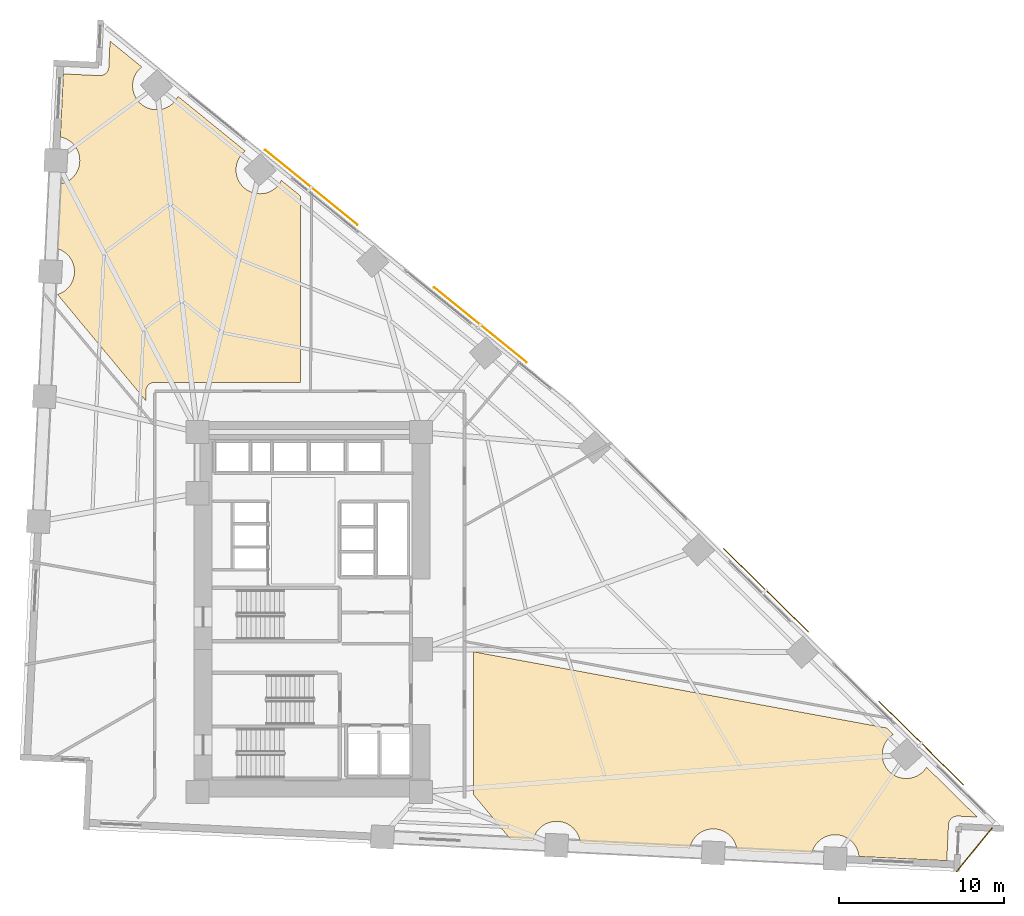
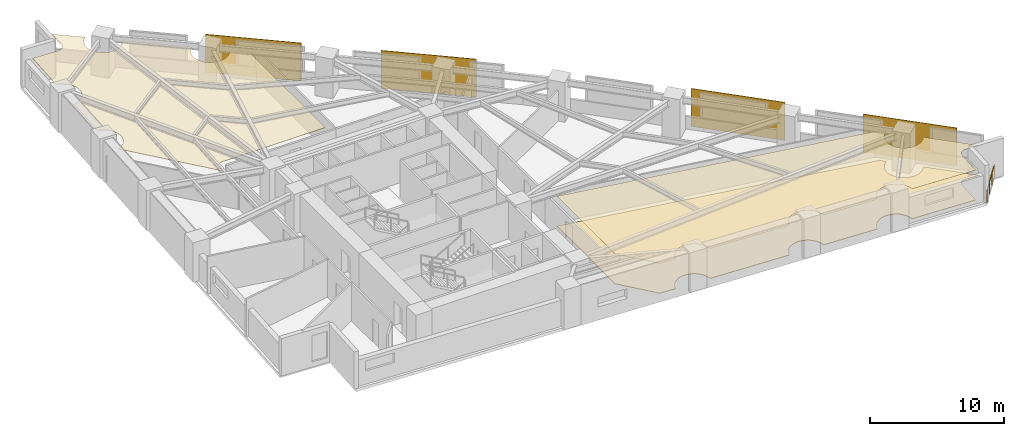
# One storey, part 17 of 17: 4 shading devices, 3 coverings, 1 railing.
"""IFC4 building model written with IfcOpenShell, lengths in metres."""

import ifcopenshell
import ifcopenshell.guid

model = None  # the IFC model being written
_history = None  # IfcOwnerHistory: only IFC2X3 demands one
_inside = {}  # id of a spatial element -> (the spatial element, [elements in it])
_under = {}  # id of a project, library or spatial element -> (it, [spatial elements below it])
_declared = {}  # id of a project -> (the project, [libraries it declares])
_typed = {}  # id of a type object -> (the type object, [elements of that type])
_made_of = {}  # id of a material, layer set ... -> (it, [elements and type objects made of it])


def new_model(schema):
    """Start an empty IFC model of exactly this schema.

    Asked for "IFC4X3", IfcOpenShell would pick the latest addendum, in which some entities
    have other attributes; the version numbers below select the first issue.
    IFC2X3 requires an IfcOwnerHistory on every rooted entity: one is made here for all.
    """
    global model, _history
    if schema == "IFC4X3":
        model = ifcopenshell.file(schema_version=(4, 3, 0, 0))
    else:
        model = ifcopenshell.file(schema=schema)
    _inside.clear()
    _under.clear()
    _declared.clear()
    _typed.clear()
    _made_of.clear()
    _history = None
    if model.schema == "IFC2X3":
        org = make("IfcOrganization", Name="unknown")
        user = make(
            "IfcPersonAndOrganization",
            ThePerson=make("IfcPerson", FamilyName="unknown"),
            TheOrganization=org,
        )
        app = make(
            "IfcApplication",
            ApplicationDeveloper=org,
            Version="unknown",
            ApplicationFullName="unknown",
            ApplicationIdentifier="unknown",
        )
        _history = make(
            "IfcOwnerHistory",
            OwningUser=user,
            OwningApplication=app,
            ChangeAction="ADDED",
            CreationDate=0,
        )
    return model


def make(cls, **values):
    """One entity of the class cls with the attributes given. An attribute that is None is left unset."""
    return model.create_entity(
        cls, **{name: value for name, value in values.items() if value is not None}
    )


def rooted(cls, **values):
    """An entity with a GlobalId (a new one), such as an element, a storey or a relation."""
    return make(cls, GlobalId=ifcopenshell.guid.new(), OwnerHistory=_history, **values)


def si_unit(unit_type, name, prefix=None):
    """IfcSIUnit, for example si_unit("LENGTHUNIT", "METRE", prefix="MILLI")."""
    return make("IfcSIUnit", UnitType=unit_type, Prefix=prefix, Name=name)


def assignment(units):
    """IfcUnitAssignment: the units of a project."""
    return None if units is None else make("IfcUnitAssignment", Units=units)


def point(xyz):
    """IfcCartesianPoint."""
    return None if xyz is None else make("IfcCartesianPoint", Coordinates=xyz)


def direction(xyz):
    """IfcDirection."""
    return None if xyz is None else make("IfcDirection", DirectionRatios=xyz)


def frame(location, z_axis=None, x_axis=None):
    """IfcAxis2Placement3D, a coordinate frame: its origin and axes. An axis left out is left unset."""
    return make(
        "IfcAxis2Placement3D",
        Location=point(location),
        Axis=direction(z_axis),
        RefDirection=direction(x_axis),
    )


def frame_2d(location, x_axis=None):
    """IfcAxis2Placement2D, a coordinate frame in the plane: its origin and x axis."""
    return make(
        "IfcAxis2Placement2D", Location=point(location), RefDirection=direction(x_axis)
    )


def origin():
    """The frame at (0, 0, 0) with its axes left unset."""
    return frame((0.0, 0.0, 0.0))


def origin_2d():
    """The frame at (0, 0) in the plane with its x axis left unset."""
    return frame_2d((0.0, 0.0))


def place(relative_to, where):
    """IfcLocalPlacement: puts the frame where relative to a parent placement (None: the world)."""
    return make(
        "IfcLocalPlacement", PlacementRelTo=relative_to, RelativePlacement=where
    )


def context(
    kind, dimensions, precision=None, world=None, true_north=None, identifier=None
):
    """IfcGeometricRepresentationContext, for example the 3D "Model" context."""
    return make(
        "IfcGeometricRepresentationContext",
        ContextIdentifier=identifier,
        ContextType=kind,
        CoordinateSpaceDimension=dimensions,
        Precision=precision,
        WorldCoordinateSystem=world,
        TrueNorth=true_north,
    )


def subcontext(parent, identifier, kind, view, scale=None):
    """IfcGeometricRepresentationSubContext, for example "Body" below "Model"."""
    return make(
        "IfcGeometricRepresentationSubContext",
        ContextIdentifier=identifier,
        ContextType=kind,
        ParentContext=parent,
        TargetScale=scale,
        TargetView=view,
    )


def project(units=None, contexts=None):
    """IfcProject with its units and contexts."""
    return rooted(
        "IfcProject",
        Name="project",
        RepresentationContexts=contexts,
        UnitsInContext=assignment(units),
    )


def spatial(cls, under=None, at=None, **own):
    """A site, building, storey or space (cls), placed at a placement, below another one or the project."""
    s = rooted(cls, ObjectPlacement=at, **own)
    if under is not None:
        _under.setdefault(under.id(), (under, []))[1].append(s)
    return s


def polyline(points):
    """IfcPolyline through the points."""
    return make("IfcPolyline", Points=[point(p) for p in points])


def profile(cls, at=None, kind="AREA", **sizes):
    """A parametric profile (cls). Its sizes go by their IFC names, for example OverallWidth=200.0."""
    return make(cls, ProfileType=kind, Position=at, **sizes)


def rectangle(**sizes):
    """IfcRectangleProfileDef."""
    return profile("IfcRectangleProfileDef", **sizes)


def circle(**sizes):
    """IfcCircleProfileDef."""
    return profile("IfcCircleProfileDef", **sizes)


def outline(outer, holes=None, kind="AREA"):
    """IfcArbitraryClosedProfileDef: a profile drawn as a closed curve; with holes, ...WithVoids."""
    if holes is None:
        return make("IfcArbitraryClosedProfileDef", ProfileType=kind, OuterCurve=outer)
    return make(
        "IfcArbitraryProfileDefWithVoids",
        ProfileType=kind,
        OuterCurve=outer,
        InnerCurves=holes,
    )


def extrude(swept, where, along, depth):
    """IfcExtrudedAreaSolid: the profile swept, set in the frame where, extruded along a direction by depth."""
    return make(
        "IfcExtrudedAreaSolid",
        SweptArea=swept,
        Position=where,
        ExtrudedDirection=direction(along),
        Depth=depth,
    )


def shape(context_of_items, identifier, shape_type, items):
    """IfcShapeRepresentation: the items that make up one representation, for example the "Body"."""
    return make(
        "IfcShapeRepresentation",
        ContextOfItems=context_of_items,
        RepresentationIdentifier=identifier,
        RepresentationType=shape_type,
        Items=items,
    )


def material(Name=None, Category=None):
    """IfcMaterial."""
    return make("IfcMaterial", Name=Name, Category=Category)


def layer(
    of_material, thickness, ventilated=None, Name=None, Category=None, Priority=None
):
    """IfcMaterialLayer: one layer of a wall or slab, of a material (None: an air gap)."""
    return make(
        "IfcMaterialLayer",
        Material=of_material,
        LayerThickness=thickness,
        IsVentilated=ventilated,
        Name=Name,
        Category=Category,
        Priority=Priority,
    )


def layer_set(layers, Name=None):
    """IfcMaterialLayerSet."""
    return make("IfcMaterialLayerSet", MaterialLayers=layers, LayerSetName=Name)


def made_of(thing, what):
    """Note that an element or type object is made of a material, layer set ...; save() writes the relation."""
    if what is not None:
        _made_of.setdefault(what.id(), (what, []))[1].append(thing)
    return thing


def type_object(cls, material=None, **own):
    """A type object (cls), such as IfcWallType, which elements share."""
    return made_of(rooted(cls, **own), material)


def element(
    cls,
    number,
    at=None,
    inside=None,
    cuts=None,
    type_object=None,
    material=None,
    context=None,
    identifier="Body",
    shape_type=None,
    held_by="IfcProductDefinitionShape",
    body=None,
    shapes=None,
    **own,
):
    """One element of the class cls, such as IfcWall. Its Tag is "e" and its number.

    at: its placement. inside: the storey or other place that contains it. cuts: it is an
    opening in that element (IfcRelVoidsElement). A single representation is given by context,
    identifier, shape_type and body (its items); several are given by shapes. held_by: the class
    of the entity that holds the representations. save() writes the other relations.
    """
    e = rooted(cls, Tag="e%d" % number, ObjectPlacement=at, **own)
    if body is not None:
        shapes = [shape(context, identifier, shape_type, body)]
    if shapes is not None:
        e.Representation = make(held_by, Representations=shapes)
    if inside is not None:
        _inside.setdefault(inside.id(), (inside, []))[1].append(e)
    if cuts is not None:
        rooted(
            "IfcRelVoidsElement", RelatingBuildingElement=cuts, RelatedOpeningElement=e
        )
    if type_object is not None:
        _typed.setdefault(type_object.id(), (type_object, []))[1].append(e)
    return made_of(e, material)


def aggregate(whole, parts):
    """IfcRelAggregates: a whole, such as a stair, and the parts it consists of."""
    return rooted("IfcRelAggregates", RelatingObject=whole, RelatedObjects=parts)


def save(model, path):
    """Write the relations noted so far, then the file.

    IfcRelAggregates (storeys below a building ...), IfcRelContainedInSpatialStructure (elements
    in a storey), IfcRelDefinesByType, IfcRelAssociatesMaterial and IfcRelDeclares: one each for
    every whole, place, type object, material and project.
    """
    for whole, parts in _under.values():
        aggregate(whole, parts)
    for where, things in _inside.values():
        rooted(
            "IfcRelContainedInSpatialStructure",
            RelatedElements=things,
            RelatingStructure=where,
        )
    for kind, things in _typed.values():
        rooted("IfcRelDefinesByType", RelatedObjects=things, RelatingType=kind)
    for what, things in _made_of.values():
        rooted("IfcRelAssociatesMaterial", RelatedObjects=things, RelatingMaterial=what)
    for by, libraries in _declared.values():
        rooted("IfcRelDeclares", RelatingContext=by, RelatedDefinitions=libraries)
    model.write(path)


model = new_model("IFC4")

# Units and contexts
model_context = context("Model", 3, precision=1e-05, world=origin(), true_north=direction((0.0, 1.0)))
body_context = subcontext(model_context, "Body", "Model", "MODEL_VIEW")
ifc_project = project(units=[si_unit("LENGTHUNIT", "METRE"), si_unit("AREAUNIT", "SQUARE_METRE"), si_unit("VOLUMEUNIT", "CUBIC_METRE"), si_unit("PLANEANGLEUNIT", "RADIAN"), si_unit("MASSUNIT", "GRAM", prefix="KILO")], contexts=[model_context])

# Site, building, storey
site_placement = place(None, origin())
site = spatial("IfcSite", under=ifc_project, at=site_placement, CompositionType="ELEMENT")
building_placement = place(site_placement, origin())
building = spatial("IfcBuilding", under=site, at=building_placement, Name="Narakoshi Arena Tower", CompositionType="ELEMENT")
storey_placement = place(building_placement, frame((0.0, 0.0, 37.5)))
storey = spatial("IfcBuildingStorey", under=building, at=storey_placement, Name="L09", CompositionType="ELEMENT", Elevation=37.5)

# Coverings
ifc_material_1 = material(Name="Acoustic mineral-fibre ceiling tile")
ifc_layer_1 = layer(ifc_material_1, 0.02001953125)
ifc_layer_set_1 = layer_set([ifc_layer_1], Name="Acoustic mineral-fibre ceiling tile")
covering_type_1 = type_object("IfcCoveringType", Name="COV-CLG-AC20", PredefinedType="CEILING", material=ifc_layer_set_1)
covering_1_placement = place(storey_placement, frame((0.0, 0.0, 2.72998046875)))
element("IfcCovering", 1, at=covering_1_placement, inside=storey, type_object=covering_type_1, Name="L09 Suspended Acoustic Ceiling 1", PredefinedType="CEILING", context=body_context, shape_type="SweptSolid", body=[
    extrude(outline(polyline([(118.02685546875, 33.24267578125), (117.97314453125, 33.2373046875), (117.920166015625, 33.226806640625), (117.868408203125, 33.2109375), (117.818603515625, 33.190185546875), (117.77099609375, 33.164794921875), (117.726318359375, 33.134765625), (117.6845703125, 33.100341796875), (117.646484375, 33.062255859375), (117.6123046875, 33.0205078125), (117.582275390625, 32.9755859375), (117.556884765625, 32.927978515625), (117.536376953125, 32.8779296875), (117.520751953125, 32.826416015625), (117.51025390625, 32.7734375), (117.5048828125, 32.7197265625), (117.400390625, 30.542236328125), (112.07958984375, 30.797607421875), (112.079345703125, 30.803955078125), (112.05859375, 30.94482421875), (112.02392578125, 31.082763671875), (111.97607421875, 31.216796875), (111.915283203125, 31.345458984375), (111.842041015625, 31.467529296875), (111.75732421875, 31.581787109375), (111.66162109375, 31.687255859375), (111.556396484375, 31.78271484375), (111.44189453125, 31.867431640625), (111.31982421875, 31.940673828125), (111.19140625, 32.00146484375), (111.057373046875, 32.049560546875), (110.919189453125, 32.083984375), (110.778564453125, 32.10498046875), (110.636474609375, 32.11181640625), (110.494384765625, 32.10498046875), (110.353515625, 32.083984375), (110.215576171875, 32.049560546875), (110.08154296875, 32.00146484375), (109.952880859375, 31.940673828125), (109.830810546875, 31.867431640625), (109.716552734375, 31.78271484375), (109.611083984375, 31.687255859375), (109.515380859375, 31.581787109375), (109.430908203125, 31.467529296875), (109.357666015625, 31.345458984375), (109.296875, 31.216796875), (109.248779296875, 31.082763671875), (109.21435546875, 30.94482421875), (109.212890625, 30.935546875), (104.6962890625, 31.15234375), (104.69580078125, 31.15869140625), (104.675048828125, 31.29931640625), (104.640380859375, 31.4375), (104.592529296875, 31.5712890625), (104.53173828125, 31.699951171875), (104.45849609375, 31.822021484375), (104.373779296875, 31.936279296875), (104.2783203125, 32.041748046875), (104.1728515625, 32.137451171875), (104.05859375, 32.22216796875), (103.936279296875, 32.29541015625), (103.807861328125, 32.356201171875), (103.673828125, 32.404052734375), (103.535888671875, 32.438720703125), (103.39501953125, 32.45947265625), (103.2529296875, 32.466552734375), (103.11083984375, 32.45947265625), (102.969970703125, 32.438720703125), (102.83203125, 32.404052734375), (102.697998046875, 32.356201171875), (102.5693359375, 32.29541015625), (102.447265625, 32.22216796875), (102.3330078125, 32.137451171875), (102.2275390625, 32.041748046875), (102.132080078125, 31.936279296875), (102.04736328125, 31.822021484375), (101.97412109375, 31.699951171875), (101.913330078125, 31.5712890625), (101.865234375, 31.4375), (101.830810546875, 31.29931640625), (101.829345703125, 31.2900390625), (95.203125, 31.6083984375), (95.202880859375, 31.614501953125), (95.181884765625, 31.75537109375), (95.1474609375, 31.893310546875), (95.099609375, 32.02734375), (95.038818359375, 32.156005859375), (94.965576171875, 32.278076171875), (94.880859375, 32.392333984375), (94.78515625, 32.497802734375), (94.6796875, 32.593505859375), (94.5654296875, 32.677978515625), (94.443359375, 32.751220703125), (94.314697265625, 32.81201171875), (94.180908203125, 32.860107421875), (94.042724609375, 32.89453125), (93.902099609375, 32.91552734375), (93.760009765625, 32.922607421875), (93.617919921875, 32.91552734375), (93.47705078125, 32.89453125), (93.339111328125, 32.860107421875), (93.205078125, 32.81201171875), (93.076416015625, 32.751220703125), (92.954345703125, 32.677978515625), (92.840087890625, 32.593505859375), (92.734619140625, 32.497802734375), (92.638916015625, 32.392333984375), (92.55419921875, 32.278076171875), (92.481201171875, 32.156005859375), (92.42041015625, 32.02734375), (92.372314453125, 31.893310546875), (92.337890625, 31.75537109375), (92.33642578125, 31.74609375), (90.999755859375, 31.810302734375), (88.72802734375, 34.54150390625), (88.72802734375, 43.197509765625), (113.76318359375, 38.580078125), (114.159912109375, 38.189453125), (114.13671875, 38.175537109375), (114.022216796875, 38.0908203125), (113.9169921875, 37.9951171875), (113.8212890625, 37.889892578125), (113.736572265625, 37.775390625), (113.663330078125, 37.6533203125), (113.6025390625, 37.52490234375), (113.5546875, 37.390869140625), (113.52001953125, 37.252685546875), (113.499267578125, 37.112060546875), (113.4921875, 36.969970703125), (113.499267578125, 36.827880859375), (113.52001953125, 36.68701171875), (113.5546875, 36.549072265625), (113.6025390625, 36.4150390625), (113.663330078125, 36.286376953125), (113.736572265625, 36.164306640625), (113.8212890625, 36.050048828125), (113.9169921875, 35.944580078125), (114.022216796875, 35.84912109375), (114.13671875, 35.764404296875), (114.2587890625, 35.691162109375), (114.38720703125, 35.63037109375), (114.521240234375, 35.582275390625), (114.6591796875, 35.5478515625), (114.800048828125, 35.52685546875), (114.942138671875, 35.52001953125), (115.084228515625, 35.52685546875), (115.22509765625, 35.5478515625), (115.363037109375, 35.582275390625), (115.4970703125, 35.63037109375), (115.625732421875, 35.691162109375), (115.747802734375, 35.764404296875), (115.862060546875, 35.84912109375), (115.967529296875, 35.944580078125), (116.06298828125, 36.050048828125), (116.147705078125, 36.164306640625), (116.17333984375, 36.206787109375), (119.239990234375, 33.18701171875), (118.080810546875, 33.24267578125), (118.02685546875, 33.24267578125)])), origin(), (0.0, 0.0, 1.0), 0.02001953125),
])
ifc_material_2 = material(Name="Slatted oak acoustic timber baffle", Category="wood")
ifc_layer_2 = layer(ifc_material_2, 0.034912109375)
ifc_layer_set_2 = layer_set([ifc_layer_2], Name="Slatted oak acoustic timber baffle")
covering_type_2 = type_object("IfcCoveringType", Name="COV-CLG-WD35", PredefinedType="CEILING", material=ifc_layer_set_2)
covering_2_placement = place(storey_placement, frame((0.0, 0.0, 2.715087890625)))
element("IfcCovering", 2, at=covering_2_placement, inside=storey, type_object=covering_type_2, Name="L09 Suspended Acoustic Ceiling 2", PredefinedType="CEILING", context=body_context, shape_type="SweptSolid", body=[
    extrude(outline(polyline([(66.06298828125, 78.10009765625), (66.1171875, 78.10009765625), (66.1708984375, 78.10546875), (66.2236328125, 78.1162109375), (66.275390625, 78.1318359375), (66.3251953125, 78.152587890625), (66.372802734375, 78.177978515625), (66.41748046875, 78.2080078125), (66.459228515625, 78.242431640625), (66.497314453125, 78.280517578125), (66.531494140625, 78.322265625), (66.5615234375, 78.3671875), (66.5869140625, 78.414794921875), (66.607666015625, 78.46484375), (66.623291015625, 78.516357421875), (66.633544921875, 78.5693359375), (66.638916015625, 78.623046875), (66.7138671875, 80.185302734375), (68.63623046875, 78.622802734375), (68.611083984375, 78.60400390625), (68.505615234375, 78.508544921875), (68.41015625, 78.403076171875), (68.325439453125, 78.288818359375), (68.252197265625, 78.166748046875), (68.19140625, 78.0380859375), (68.143310546875, 77.904052734375), (68.10888671875, 77.76611328125), (68.087890625, 77.625244140625), (68.0810546875, 77.483154296875), (68.087890625, 77.341064453125), (68.10888671875, 77.2001953125), (68.143310546875, 77.062255859375), (68.19140625, 76.92822265625), (68.252197265625, 76.7998046875), (68.325439453125, 76.677490234375), (68.41015625, 76.563232421875), (68.505615234375, 76.4580078125), (68.611083984375, 76.3623046875), (68.725341796875, 76.277587890625), (68.847412109375, 76.204345703125), (68.97607421875, 76.1435546875), (69.110107421875, 76.095703125), (69.248046875, 76.06103515625), (69.388916015625, 76.040283203125), (69.531005859375, 76.033203125), (69.673095703125, 76.040283203125), (69.81396484375, 76.06103515625), (69.951904296875, 76.095703125), (70.0859375, 76.1435546875), (70.214599609375, 76.204345703125), (70.336669921875, 76.277587890625), (70.450927734375, 76.3623046875), (70.556396484375, 76.4580078125), (70.65185546875, 76.563232421875), (70.736572265625, 76.677490234375), (70.809814453125, 76.7998046875), (70.8291015625, 76.84033203125), (74.899658203125, 73.531982421875), (74.87451171875, 73.51318359375), (74.76904296875, 73.417724609375), (74.67333984375, 73.312255859375), (74.588623046875, 73.197998046875), (74.515380859375, 73.075927734375), (74.45458984375, 72.947265625), (74.40673828125, 72.813232421875), (74.372314453125, 72.67529296875), (74.351318359375, 72.534423828125), (74.34423828125, 72.392333984375), (74.351318359375, 72.250244140625), (74.372314453125, 72.109619140625), (74.40673828125, 71.971435546875), (74.45458984375, 71.83740234375), (74.515380859375, 71.708984375), (74.588623046875, 71.5869140625), (74.67333984375, 71.472412109375), (74.76904296875, 71.3671875), (74.87451171875, 71.271484375), (74.98876953125, 71.186767578125), (75.11083984375, 71.113525390625), (75.239501953125, 71.052734375), (75.373291015625, 71.0048828125), (75.511474609375, 70.97021484375), (75.652099609375, 70.949462890625), (75.794189453125, 70.9423828125), (75.936279296875, 70.949462890625), (76.0771484375, 70.97021484375), (76.215087890625, 71.0048828125), (76.34912109375, 71.052734375), (76.477783203125, 71.113525390625), (76.599853515625, 71.186767578125), (76.714111328125, 71.271484375), (76.819580078125, 71.3671875), (76.915283203125, 71.472412109375), (77.0, 71.5869140625), (77.072998046875, 71.708984375), (77.09228515625, 71.749755859375), (78.260009765625, 70.80078125), (78.250244140625, 59.5224609375), (69.427490234375, 59.5224609375), (69.37353515625, 59.52001953125), (69.3203125, 59.511962890625), (69.267822265625, 59.498779296875), (69.217041015625, 59.480712890625), (69.168212890625, 59.45751953125), (69.121826171875, 59.4296875), (69.07861328125, 59.397705078125), (69.03857421875, 59.361328125), (69.002197265625, 59.3212890625), (68.97021484375, 59.278076171875), (68.9423828125, 59.231689453125), (68.91943359375, 59.18310546875), (68.901123046875, 59.132080078125), (68.88818359375, 59.079833984375), (68.880126953125, 59.0263671875), (68.87744140625, 58.972412109375), (68.87744140625, 58.409423828125), (63.528076171875, 64.841552734375), (63.659912109375, 64.888671875), (63.78857421875, 64.949462890625), (63.91064453125, 65.022705078125), (64.02490234375, 65.107421875), (64.13037109375, 65.202880859375), (64.22607421875, 65.308349609375), (64.310791015625, 65.422607421875), (64.3837890625, 65.544921875), (64.444580078125, 65.67333984375), (64.49267578125, 65.807373046875), (64.527099609375, 65.9453125), (64.548095703125, 66.086181640625), (64.55517578125, 66.228271484375), (64.548095703125, 66.370361328125), (64.527099609375, 66.51123046875), (64.49267578125, 66.649169921875), (64.444580078125, 66.783203125), (64.3837890625, 66.911865234375), (64.310791015625, 67.033935546875), (64.22607421875, 67.148193359375), (64.13037109375, 67.253662109375), (64.02490234375, 67.34912109375), (63.91064453125, 67.433837890625), (63.78857421875, 67.507080078125), (63.659912109375, 67.56787109375), (63.52587890625, 67.615966796875), (63.387939453125, 67.650390625), (63.37890625, 67.65185546875), (63.564208984375, 71.51318359375), (63.5703125, 71.513671875), (63.711181640625, 71.534423828125), (63.84912109375, 71.569091796875), (63.983154296875, 71.616943359375), (64.11181640625, 71.677734375), (64.23388671875, 71.7509765625), (64.34814453125, 71.835693359375), (64.45361328125, 71.931396484375), (64.54931640625, 72.03662109375), (64.6337890625, 72.15087890625), (64.70703125, 72.273193359375), (64.767822265625, 72.401611328125), (64.81591796875, 72.53564453125), (64.850341796875, 72.673583984375), (64.871337890625, 72.814453125), (64.87841796875, 72.95654296875), (64.871337890625, 73.0986328125), (64.850341796875, 73.239501953125), (64.81591796875, 73.37744140625), (64.767822265625, 73.511474609375), (64.70703125, 73.64013671875), (64.6337890625, 73.76220703125), (64.54931640625, 73.87646484375), (64.45361328125, 73.98193359375), (64.34814453125, 74.077392578125), (64.23388671875, 74.162109375), (64.11181640625, 74.2353515625), (63.983154296875, 74.296142578125), (63.84912109375, 74.34423828125), (63.711181640625, 74.378662109375), (63.701904296875, 74.380126953125), (63.8857421875, 78.20458984375), (66.06298828125, 78.10009765625)])), origin(), (0.0, 0.0, 1.0), 0.034912109375),
])
ifc_material_3 = material(Name="Raised steel access floor panel", Category="steel")
ifc_layer_3 = layer(ifc_material_3, 0.044921875)
ifc_layer_set_3 = layer_set([ifc_layer_3], Name="Raised steel access floor panel")
covering_type_3 = type_object("IfcCoveringType", Name="COV-FLR-RF45", PredefinedType="FLOORING", material=ifc_layer_set_3)
covering_3_placement = place(storey_placement, origin())
element("IfcCovering", 3, at=covering_3_placement, inside=storey, type_object=covering_type_3, Name="L09 Raised Steel Access Floor", PredefinedType="FLOORING", context=body_context, shape_type="SweptSolid", body=[
    extrude(outline(polyline([(118.02685546875, 33.24267578125), (117.97314453125, 33.2373046875), (117.920166015625, 33.226806640625), (117.868408203125, 33.2109375), (117.818603515625, 33.190185546875), (117.77099609375, 33.164794921875), (117.726318359375, 33.134765625), (117.6845703125, 33.100341796875), (117.646484375, 33.062255859375), (117.6123046875, 33.0205078125), (117.582275390625, 32.9755859375), (117.556884765625, 32.927978515625), (117.536376953125, 32.8779296875), (117.520751953125, 32.826416015625), (117.51025390625, 32.7734375), (117.5048828125, 32.7197265625), (117.400390625, 30.542236328125), (112.07958984375, 30.797607421875), (112.079345703125, 30.803955078125), (112.05859375, 30.94482421875), (112.02392578125, 31.082763671875), (111.97607421875, 31.216796875), (111.915283203125, 31.345458984375), (111.842041015625, 31.467529296875), (111.75732421875, 31.581787109375), (111.66162109375, 31.687255859375), (111.556396484375, 31.78271484375), (111.44189453125, 31.867431640625), (111.31982421875, 31.940673828125), (111.19140625, 32.00146484375), (111.057373046875, 32.049560546875), (110.919189453125, 32.083984375), (110.778564453125, 32.10498046875), (110.636474609375, 32.11181640625), (110.494384765625, 32.10498046875), (110.353515625, 32.083984375), (110.215576171875, 32.049560546875), (110.08154296875, 32.00146484375), (109.952880859375, 31.940673828125), (109.830810546875, 31.867431640625), (109.716552734375, 31.78271484375), (109.611083984375, 31.687255859375), (109.515380859375, 31.581787109375), (109.430908203125, 31.467529296875), (109.357666015625, 31.345458984375), (109.296875, 31.216796875), (109.248779296875, 31.082763671875), (109.21435546875, 30.94482421875), (109.212890625, 30.935546875), (104.6962890625, 31.15234375), (104.69580078125, 31.15869140625), (104.675048828125, 31.29931640625), (104.640380859375, 31.4375), (104.592529296875, 31.5712890625), (104.53173828125, 31.699951171875), (104.45849609375, 31.822021484375), (104.373779296875, 31.936279296875), (104.2783203125, 32.041748046875), (104.1728515625, 32.137451171875), (104.05859375, 32.22216796875), (103.936279296875, 32.29541015625), (103.807861328125, 32.356201171875), (103.673828125, 32.404052734375), (103.535888671875, 32.438720703125), (103.39501953125, 32.45947265625), (103.2529296875, 32.466552734375), (103.11083984375, 32.45947265625), (102.969970703125, 32.438720703125), (102.83203125, 32.404052734375), (102.697998046875, 32.356201171875), (102.5693359375, 32.29541015625), (102.447265625, 32.22216796875), (102.3330078125, 32.137451171875), (102.2275390625, 32.041748046875), (102.132080078125, 31.936279296875), (102.04736328125, 31.822021484375), (101.97412109375, 31.699951171875), (101.913330078125, 31.5712890625), (101.865234375, 31.4375), (101.830810546875, 31.29931640625), (101.829345703125, 31.2900390625), (95.203125, 31.6083984375), (95.202880859375, 31.614501953125), (95.181884765625, 31.75537109375), (95.1474609375, 31.893310546875), (95.099609375, 32.02734375), (95.038818359375, 32.156005859375), (94.965576171875, 32.278076171875), (94.880859375, 32.392333984375), (94.78515625, 32.497802734375), (94.6796875, 32.593505859375), (94.5654296875, 32.677978515625), (94.443359375, 32.751220703125), (94.314697265625, 32.81201171875), (94.180908203125, 32.860107421875), (94.042724609375, 32.89453125), (93.902099609375, 32.91552734375), (93.760009765625, 32.922607421875), (93.617919921875, 32.91552734375), (93.47705078125, 32.89453125), (93.339111328125, 32.860107421875), (93.205078125, 32.81201171875), (93.076416015625, 32.751220703125), (92.954345703125, 32.677978515625), (92.840087890625, 32.593505859375), (92.734619140625, 32.497802734375), (92.638916015625, 32.392333984375), (92.55419921875, 32.278076171875), (92.481201171875, 32.156005859375), (92.42041015625, 32.02734375), (92.372314453125, 31.893310546875), (92.337890625, 31.75537109375), (92.33642578125, 31.74609375), (90.999755859375, 31.810302734375), (88.72802734375, 34.54150390625), (88.72802734375, 43.197509765625), (113.76318359375, 38.580078125), (114.159912109375, 38.189453125), (114.13671875, 38.175537109375), (114.022216796875, 38.0908203125), (113.9169921875, 37.9951171875), (113.8212890625, 37.889892578125), (113.736572265625, 37.775390625), (113.663330078125, 37.6533203125), (113.6025390625, 37.52490234375), (113.5546875, 37.390869140625), (113.52001953125, 37.252685546875), (113.499267578125, 37.112060546875), (113.4921875, 36.969970703125), (113.499267578125, 36.827880859375), (113.52001953125, 36.68701171875), (113.5546875, 36.549072265625), (113.6025390625, 36.4150390625), (113.663330078125, 36.286376953125), (113.736572265625, 36.164306640625), (113.8212890625, 36.050048828125), (113.9169921875, 35.944580078125), (114.022216796875, 35.84912109375), (114.13671875, 35.764404296875), (114.2587890625, 35.691162109375), (114.38720703125, 35.63037109375), (114.521240234375, 35.582275390625), (114.6591796875, 35.5478515625), (114.800048828125, 35.52685546875), (114.942138671875, 35.52001953125), (115.084228515625, 35.52685546875), (115.22509765625, 35.5478515625), (115.363037109375, 35.582275390625), (115.4970703125, 35.63037109375), (115.625732421875, 35.691162109375), (115.747802734375, 35.764404296875), (115.862060546875, 35.84912109375), (115.967529296875, 35.944580078125), (116.06298828125, 36.050048828125), (116.147705078125, 36.164306640625), (116.17333984375, 36.206787109375), (119.239990234375, 33.18701171875), (118.080810546875, 33.24267578125), (118.02685546875, 33.24267578125)])), origin(), (0.0, 0.0, 1.0), 0.044921875),
])

# Railing
ifc_material_4 = material(Name="Brushed bronze stainless steel", Category="steel")
railing_type = type_object("IfcRailingType", Name="RL-GRD-1150", PredefinedType="GUARDRAIL", material=ifc_material_4)
railing_placement = place(storey_placement, frame((117.99951171875, 29.8828125, 0.0)))
element("IfcRailing", 4, at=railing_placement, inside=storey, type_object=railing_type, Name="L09 Corner Loggia Balcony Guardrail", PredefinedType="GUARDRAIL", context=body_context, shape_type="SweptSolid", body=[
    extrude(circle(Radius=0.02392578125, at=origin_2d()), frame((0.0, 0.0, 1.1259765625), z_axis=(0.632744421059, 0.774360702527, 0.0), x_axis=(-0.774360702527, 0.632744421059, 0.0)), (0.0, 0.0, 1.0), 3.396240234375),
    extrude(circle(Radius=0.02099609375, at=origin_2d()), origin(), (0.0, 0.0, 1.0), 1.101806640625),
    extrude(circle(Radius=0.02099609375, at=origin_2d()), frame((0.71630859375, 0.876708984375, 0.0)), (0.0, 0.0, 1.0), 1.101806640625),
    extrude(circle(Radius=0.02099609375, at=origin_2d()), frame((1.4326171875, 1.753173828125, 0.0)), (0.0, 0.0, 1.0), 1.101806640625),
    extrude(circle(Radius=0.02099609375, at=origin_2d()), frame((2.14892578125, 2.6298828125, 0.0)), (0.0, 0.0, 1.0), 1.101806640625),
])

# Shading devices
ifc_material_5 = material(Name="Perforated bronze ceramic-metal composite")
ifc_layer_4 = layer(ifc_material_5, 0.044921875)
ifc_layer_set_4 = layer_set([ifc_layer_4], Name="Perforated bronze ceramic-metal composite")
shading_device_type = type_object("IfcShadingDeviceType", Name="SHD-SCR-BRZ1", PredefinedType="USERDEFINED", material=ifc_layer_set_4)
for number, where, z_axis, x_axis, name in (
    (5, (115.85498046875, 37.660400390625, 0.0), (0.0, 0.0, 1.0), (-0.712540559713, 0.70163092204, 0.0), "L09 Perforated Bronze Solar Screen 1-1"),
    (6, (106.44970703125, 46.921875, 0.0), (0.0, 0.0, 1.0), (-0.712540559713, 0.70163092204, 0.0), "L09 Perforated Bronze Solar Screen 1-2"),
    (7, (89.14208984375, 63.002685546875, 0.0), (0.0, 0.0, 1.0), (-0.776002375698, 0.630729984154, 0.0), "L09 Perforated Bronze Solar Screen 2-1"),
    (8, (78.898681640625, 71.328369140625, 0.0), (0.0, 0.0, 1.0), (-0.776002375698, 0.630729984154, 0.0), "L09 Perforated Bronze Solar Screen 2-2"),
):
    element("IfcShadingDevice", number, at=place(storey_placement, frame(where, z_axis=z_axis, x_axis=x_axis)), inside=storey, type_object=shading_device_type, Name=name, ObjectType="SOLAR SCREEN", PredefinedType="USERDEFINED", context=body_context, shape_type="SweptSolid", body=[
        extrude(rectangle(XDim=7.199951171875, YDim=0.044921875, at=origin_2d()), origin(), (0.0, 0.0, 1.0), 3.449951171875),
    ])

save(model, "model.ifc")
